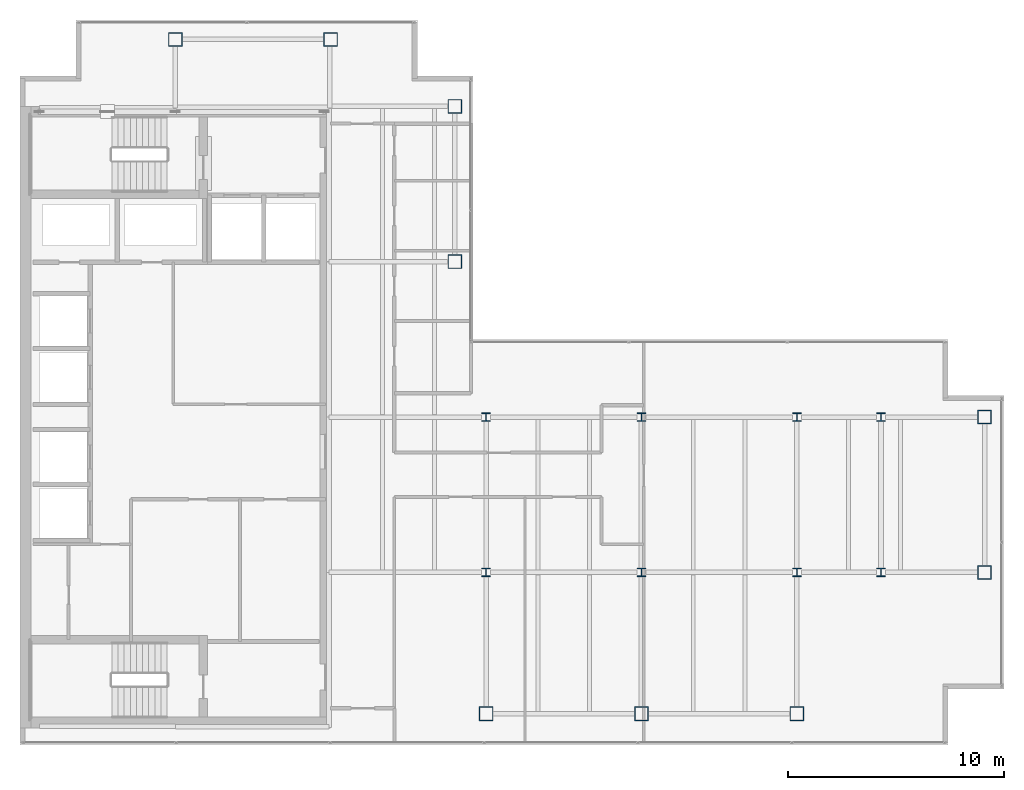
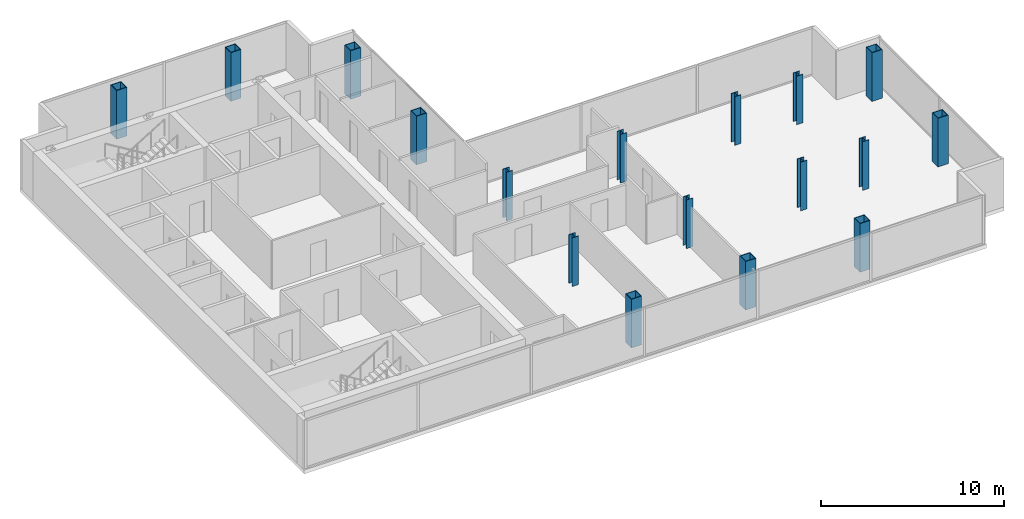
# One storey, part 1 of 23: 17 columns.
"""IFC4 building model written with IfcOpenShell, lengths in metres."""

from ifc_helpers import new_model, si_unit, direction, frame, origin, origin_2d, place, context, subcontext, project, spatial, hollow_rectangle, i_section, extrude, material, material_profile, profile_set, type_object, element, save


model = new_model("IFC4")

# Units and contexts
model_context = context("Model", 3, precision=1e-05, world=origin(), true_north=direction((0.0, 1.0)))
body_context = subcontext(model_context, "Body", "Model", "MODEL_VIEW")
ifc_project = project(units=[si_unit("LENGTHUNIT", "METRE"), si_unit("AREAUNIT", "SQUARE_METRE"), si_unit("VOLUMEUNIT", "CUBIC_METRE"), si_unit("PLANEANGLEUNIT", "RADIAN"), si_unit("MASSUNIT", "GRAM", prefix="KILO")], contexts=[model_context])

# Site, building, storey
site_placement = place(None, origin())
site = spatial("IfcSite", under=ifc_project, at=site_placement, CompositionType="ELEMENT")
building_placement = place(site_placement, origin())
building = spatial("IfcBuilding", under=site, at=building_placement, Name="Cobrela Telecom Tower", CompositionType="ELEMENT")
storey_placement = place(building_placement, frame((0.0, 0.0, 265.64990234375)))
storey = spatial("IfcBuildingStorey", under=building, at=storey_placement, Name="L69", CompositionType="ELEMENT", Elevation=265.64990234375)

# Columns
ifc_material_1 = material(Name="Steel ASTM A992 Grade 50", Category="steel")
ifc_material_profile_1 = material_profile(ifc_material_1, i_section(OverallWidth=0.39892578125, OverallDepth=0.39404296875, WebThickness=0.022705078125, FlangeThickness=0.03662109375, FilletRadius=0.01806640625, at=origin_2d()), Name="W14X193")
ifc_profile_set_1 = profile_set([ifc_material_profile_1], Name="Steel ASTM A992 Grade 50")
column_type_1 = type_object("IfcColumnType", Name="COL-INT-06", PredefinedType="COLUMN", material=ifc_profile_set_1)
for number, where, z_axis, x_axis, name in (
    (1, (21.60009765625, 14.39990234375, 0.0), (0.0, 0.0, 1.0), (1.0, 0.0, 0.0), "L69 Interior Column 06"),
    (2, (21.60009765625, 21.60009765625, 0.0), (0.0, 0.0, 1.0), (1.0, 0.0, 0.0), "L69 Interior Column 07"),
    (3, (28.800048828125, 14.39990234375, 0.0), (0.0, 0.0, 1.0), (1.0, 0.0, 0.0), "L69 Interior Column 09"),
    (4, (28.800048828125, 21.60009765625, 0.0), (0.0, 0.0, 1.0), (1.0, 0.0, 0.0), "L69 Interior Column 10"),
    (5, (36.0, 14.39990234375, 0.0), (0.0, 0.0, 1.0), (1.0, 0.0, 0.0), "L69 Interior Column 12"),
    (6, (36.0, 21.60009765625, 0.0), (0.0, 0.0, 1.0), (1.0, 0.0, 0.0), "L69 Interior Column 13"),
    (7, (39.89990234375, 14.39990234375, 0.0), (0.0, 0.0, 1.0), (1.0, 0.0, 0.0), "L69 Interior Column 14"),
    (8, (39.89990234375, 21.60009765625, 0.0), (0.0, 0.0, 1.0), (1.0, 0.0, 0.0), "L69 Interior Column 15"),
):
    element("IfcColumn", number, at=place(storey_placement, frame(where, z_axis=z_axis, x_axis=x_axis)), inside=storey, type_object=column_type_1, Name=name, PredefinedType="COLUMN", context=body_context, shape_type="SweptSolid", body=[
        extrude(i_section(OverallWidth=0.39892578125, OverallDepth=0.39404296875, WebThickness=0.022705078125, FlangeThickness=0.03662109375, FilletRadius=0.01806640625, at=origin_2d()), origin(), (0.0, 0.0, 1.0), 3.239990234375),
    ])
ifc_material_2 = material(Name="Steel ASTM A572 Grade 50", Category="steel")
ifc_material_profile_2 = material_profile(ifc_material_2, hollow_rectangle(XDim=0.64990234375, YDim=0.64990234375, WallThickness=0.0400390625, at=origin_2d()), Name="BOX 650x650x40")
ifc_profile_set_2 = profile_set([ifc_material_profile_2], Name="Steel ASTM A572 Grade 50")
column_type_2 = type_object("IfcColumnType", Name="COL-MEGA-09", PredefinedType="COLUMN", material=ifc_profile_set_2)
for number, where, z_axis, x_axis, name in (
    (9, (7.199951171875, 39.10009765625, 0.0), (0.0, 0.0, 1.0), (1.0, 0.0, 0.0), "L69 Perimeter Mega-Column 01"),
    (10, (14.39990234375, 39.10009765625, 0.0), (0.0, 0.0, 1.0), (1.0, 0.0, 0.0), "L69 Perimeter Mega-Column 02"),
    (11, (20.14990234375, 28.800048828125, 0.0), (0.0, 0.0, 1.0), (1.0, 0.0, 0.0), "L69 Perimeter Mega-Column 03"),
    (12, (20.14990234375, 36.0, 0.0), (0.0, 0.0, 1.0), (1.0, 0.0, 0.0), "L69 Perimeter Mega-Column 04"),
    (13, (21.60009765625, 7.85009765625, 0.0), (0.0, 0.0, 1.0), (1.0, 0.0, 0.0), "L69 Perimeter Mega-Column 05"),
    (14, (28.800048828125, 7.85009765625, 0.0), (0.0, 0.0, 1.0), (1.0, 0.0, 0.0), "L69 Perimeter Mega-Column 08"),
    (15, (36.0, 7.85009765625, 0.0), (0.0, 0.0, 1.0), (1.0, 0.0, 0.0), "L69 Perimeter Mega-Column 11"),
    (16, (44.699951171875, 14.39990234375, 0.0), (0.0, 0.0, 1.0), (1.0, 0.0, 0.0), "L69 Perimeter Mega-Column 16"),
    (17, (44.699951171875, 21.60009765625, 0.0), (0.0, 0.0, 1.0), (1.0, 0.0, 0.0), "L69 Perimeter Mega-Column 17"),
):
    element("IfcColumn", number, at=place(storey_placement, frame(where, z_axis=z_axis, x_axis=x_axis)), inside=storey, type_object=column_type_2, Name=name, PredefinedType="COLUMN", context=body_context, shape_type="SweptSolid", body=[
        extrude(hollow_rectangle(XDim=0.64990234375, YDim=0.64990234375, WallThickness=0.0400390625, at=origin_2d()), origin(), (0.0, 0.0, 1.0), 3.239990234375),
    ])

save(model, "model.ifc")
